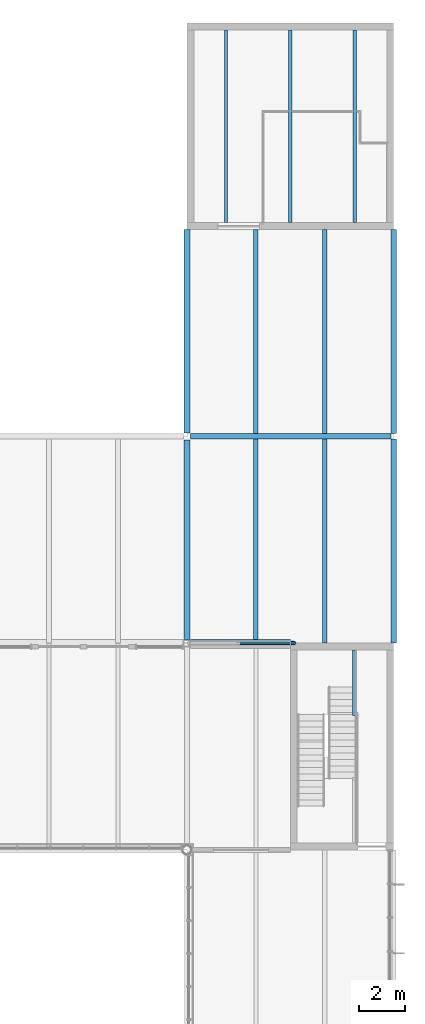
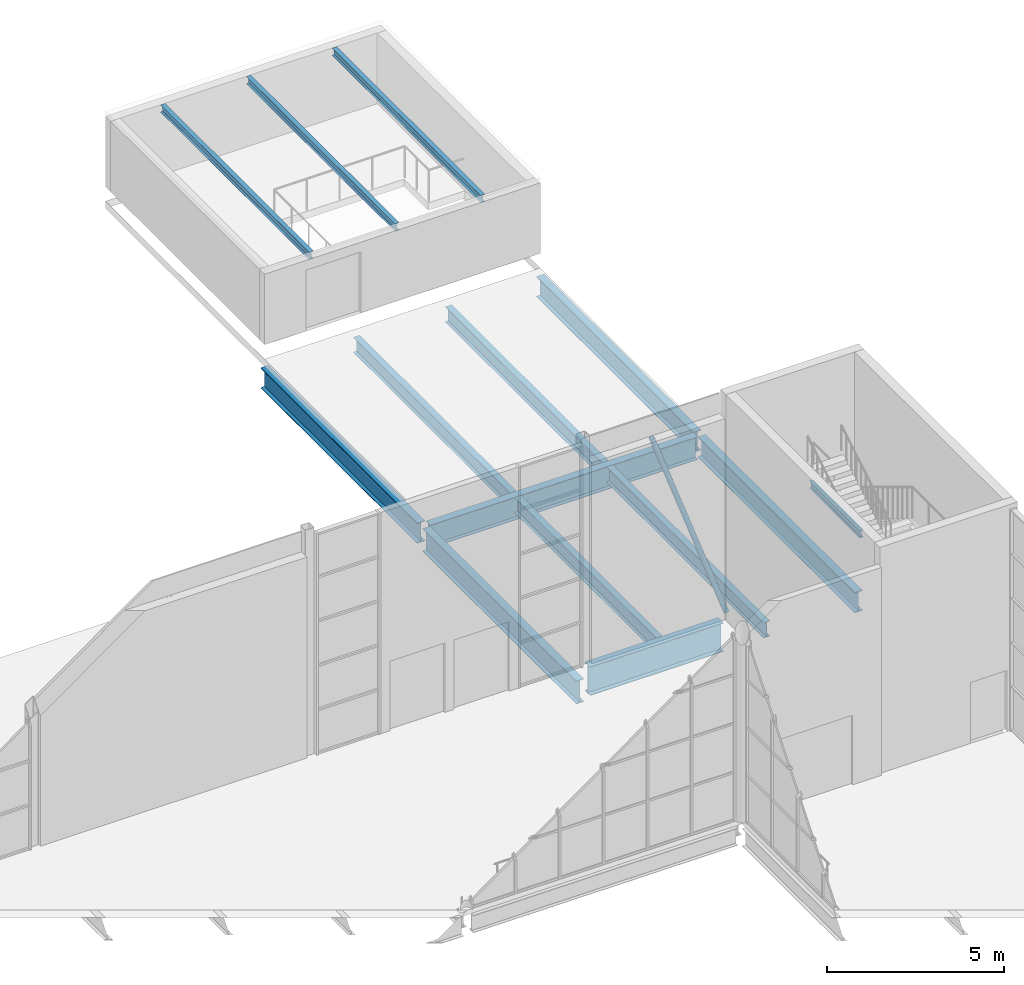
# One storey, part 63 of 90: 14 beams, 1 member.
"""IFC4 building model written with IfcOpenShell, lengths in metres."""

from ifc_helpers import new_model, si_unit, direction, frame, origin, origin_2d, place, context, subcontext, project, spatial, hollow_circle, i_section, extrude, material, material_profile, profile_set, type_object, element, save


model = new_model("IFC4")

# Units and contexts
model_context = context("Model", 3, precision=1e-05, world=origin(), true_north=direction((0.0, 1.0)))
body_context = subcontext(model_context, "Body", "Model", "MODEL_VIEW")
ifc_project = project(units=[si_unit("LENGTHUNIT", "METRE"), si_unit("AREAUNIT", "SQUARE_METRE"), si_unit("VOLUMEUNIT", "CUBIC_METRE"), si_unit("PLANEANGLEUNIT", "RADIAN"), si_unit("MASSUNIT", "GRAM", prefix="KILO")], contexts=[model_context])

# Site, building, storey
site_placement = place(None, origin())
site = spatial("IfcSite", under=ifc_project, at=site_placement, CompositionType="ELEMENT")
building_placement = place(site_placement, origin())
building = spatial("IfcBuilding", under=site, at=building_placement, Name="Halyard Row Museum", CompositionType="ELEMENT")
storey_placement = place(building_placement, frame((0.0, 0.0, 13.39990234375)))
storey = spatial("IfcBuildingStorey", under=building, at=storey_placement, Name="L03", CompositionType="ELEMENT", Elevation=13.39990234375)

# Member
ifc_material_1 = material(Name="Steel Grade C350L0", Category="steel")
ifc_material_profile_1 = material_profile(ifc_material_1, hollow_circle(Radius=0.084228515625, WallThickness=0.007080078125, at=origin_2d()), Name="168.3x7.1CHS")
ifc_profile_set_1 = profile_set([ifc_material_profile_1], Name="Steel Grade C350L0")
member_type = type_object("IfcMemberType", Name="Brace 168.3x7.1CHS", PredefinedType="BRACE", material=ifc_profile_set_1)
member_placement = place(storey_placement, frame((103.669921875, 36.0, 0.084228515625), z_axis=(-0.334057380259, 0.0, 0.942552739477), x_axis=(0.0, -1.0, 0.0)))
element("IfcMember", 1, at=member_placement, inside=storey, type_object=member_type, Name="Brace L03 Y36 99-103.5 B", PredefinedType="BRACE", context=body_context, shape_type="SweptSolid", body=[
    extrude(hollow_circle(Radius=0.084228515625, WallThickness=0.007080078125, at=origin_2d()), origin(), (0.0, 0.0, 1.0), 7.244140625),
])

# Beams
ifc_material_2 = material(Name="Steel Grade 300", Category="steel")
ifc_material_profile_2 = material_profile(ifc_material_2, i_section(OverallWidth=0.25, OverallDepth=0.699951171875, WebThickness=0.010009765625, FlangeThickness=0.02001953125, at=origin_2d()), Name="700WB130")
ifc_profile_set_2 = profile_set([ifc_material_profile_2], Name="Steel Grade 300")
beam_type_1 = type_object("IfcBeamType", Name="Edge beam 700WB130 (lowered 585)", PredefinedType="BEAM", material=ifc_profile_set_2)
beam_1_placement = place(storey_placement, frame((99.0, 45.14990234375, -1.099853515625), z_axis=(0.0, 1.0, 0.0), x_axis=(-1.0, 0.0, 0.0)))
element("IfcBeam", 2, at=beam_1_placement, inside=storey, type_object=beam_type_1, Name="Beam L03-070", PredefinedType="BEAM", context=body_context, shape_type="SweptSolid", body=[
    extrude(i_section(OverallWidth=0.25, OverallDepth=0.699951171875, WebThickness=0.010009765625, FlangeThickness=0.02001953125, at=origin_2d()), origin(), (0.0, 0.0, 1.0), 8.85009765625),
])
for number, where, z_axis, x_axis, name in (
    (3, (108.0, 36.0, -1.099853515625), (0.0, 1.0, 0.0), (-1.0, 0.0, 0.0), "Beam L03-073"),
    (4, (108.0, 45.125, -1.099853515625), (0.0, 1.0, 0.0), (-1.0, 0.0, 0.0), "Beam L03-074"),
):
    element("IfcBeam", number, at=place(storey_placement, frame(where, z_axis=z_axis, x_axis=x_axis)), inside=storey, type_object=beam_type_1, Name=name, PredefinedType="BEAM", context=body_context, shape_type="SweptSolid", body=[
        extrude(i_section(OverallWidth=0.25, OverallDepth=0.699951171875, WebThickness=0.010009765625, FlangeThickness=0.02001953125, at=origin_2d()), origin(), (0.0, 0.0, 1.0), 8.875),
    ])
ifc_material_3 = material(Name="Steel Grade 300", Category="steel")
ifc_material_profile_3 = material_profile(ifc_material_3, i_section(OverallWidth=0.25, OverallDepth=0.7919921875, WebThickness=0.010009765625, FlangeThickness=0.01611328125, at=origin_2d()), Name="800WB122")
ifc_profile_set_3 = profile_set([ifc_material_profile_3], Name="Steel Grade 300")
beam_type_2 = type_object("IfcBeamType", Name="Girder beam 800WB122 (lowered 585)", PredefinedType="BEAM", material=ifc_profile_set_3)
beam_2_placement = place(storey_placement, frame((99.14990234375, 45.0, -1.14599609375), z_axis=(1.0, 0.0, 0.0), x_axis=(0.0, 1.0, 0.0)))
element("IfcBeam", 5, at=beam_2_placement, inside=storey, type_object=beam_type_2, Name="Beam L03-041", PredefinedType="BEAM", context=body_context, shape_type="SweptSolid", body=[
    extrude(i_section(OverallWidth=0.25, OverallDepth=0.7919921875, WebThickness=0.010009765625, FlangeThickness=0.01611328125, at=origin_2d()), origin(), (0.0, 0.0, 1.0), 8.72509765625),
])
beam_3_placement = place(storey_placement, frame((99.0, 36.160400390625, -1.14599609375), z_axis=(0.0, 1.0, 0.0), x_axis=(-1.0, 0.0, 0.0)))
element("IfcBeam", 6, at=beam_3_placement, inside=storey, type_object=beam_type_2, Name="Beam L03-069", PredefinedType="BEAM", context=body_context, shape_type="SweptSolid", body=[
    extrude(i_section(OverallWidth=0.25, OverallDepth=0.7919921875, WebThickness=0.010009765625, FlangeThickness=0.01611328125, at=origin_2d()), origin(), (0.0, 0.0, 1.0), 8.689697265625),
])
ifc_material_4 = material(Name="Steel Grade 300", Category="steel")
ifc_material_profile_4 = material_profile(ifc_material_4, i_section(OverallWidth=0.14599609375, OverallDepth=0.251708984375, WebThickness=0.006103515625, FlangeThickness=0.008544921875, FilletRadius=0.0087890625, at=origin_2d()), Name="250UB31.4")
ifc_profile_set_4 = profile_set([ifc_material_profile_4], Name="Steel Grade 300")
beam_type_3 = type_object("IfcBeamType", Name="Head-house roof beam 250UB31.4", PredefinedType="BEAM", material=ifc_profile_set_4)
for number, where, z_axis, x_axis, name in (
    (7, (100.699951171875, 54.300048828125, 2.309326171875), (0.0, 1.0, 0.0), (-1.0, 0.0, 0.0), "Head-house roof beam K5B 1"),
    (8, (103.5, 54.300048828125, 2.309326171875), (0.0, 1.0, 0.0), (-1.0, 0.0, 0.0), "Head-house roof beam K5B 2"),
    (9, (106.300048828125, 54.300048828125, 2.309326171875), (0.0, 1.0, 0.0), (-1.0, 0.0, 0.0), "Head-house roof beam K5B 3"),
):
    element("IfcBeam", number, at=place(storey_placement, frame(where, z_axis=z_axis, x_axis=x_axis)), inside=storey, type_object=beam_type_3, Name=name, PredefinedType="BEAM", context=body_context, shape_type="SweptSolid", body=[
        extrude(i_section(OverallWidth=0.14599609375, OverallDepth=0.251708984375, WebThickness=0.006103515625, FlangeThickness=0.008544921875, FilletRadius=0.0087890625, at=origin_2d()), origin(), (0.0, 0.0, 1.0), 8.39990234375),
    ])
ifc_material_5 = material(Name="Steel Grade 300", Category="steel")
ifc_material_profile_5 = material_profile(ifc_material_5, i_section(OverallWidth=0.1240234375, OverallDepth=0.248046875, WebThickness=0.0048828125, FlangeThickness=0.008056640625, FilletRadius=0.011962890625, at=origin_2d()), Name="250UB25.7")
ifc_profile_set_5 = profile_set([ifc_material_profile_5], Name="Steel Grade 300")
beam_type_4 = type_object("IfcBeamType", Name="Landing trimmer 250UB25.7", PredefinedType="BEAM", material=ifc_profile_set_5)
beam_4_placement = place(storey_placement, frame((106.278076171875, 35.702880859375, 3.74560546875), z_axis=(0.0, -1.0, 0.0), x_axis=(1.0, 0.0, 0.0)))
element("IfcBeam", 10, at=beam_4_placement, inside=storey, type_object=beam_type_4, Name="Landing ledger K2C L03 2", PredefinedType="BEAM", context=body_context, shape_type="SweptSolid", body=[
    extrude(i_section(OverallWidth=0.1240234375, OverallDepth=0.248046875, WebThickness=0.0048828125, FlangeThickness=0.008056640625, FilletRadius=0.011962890625, at=origin_2d()), origin(), (0.0, 0.0, 1.0), 2.852783203125),
])
ifc_material_6 = material(Name="Steel Grade 300", Category="steel")
ifc_material_profile_6 = material_profile(ifc_material_6, i_section(OverallWidth=0.208984375, OverallDepth=0.5283203125, WebThickness=0.009521484375, FlangeThickness=0.01318359375, FilletRadius=0.013916015625, at=origin_2d()), Name="530UB82.0")
ifc_profile_set_6 = profile_set([ifc_material_profile_6], Name="Steel Grade 300")
beam_type_5 = type_object("IfcBeamType", Name="Secondary beam 530UB82.0 (lowered 585)", PredefinedType="BEAM", material=ifc_profile_set_6)
beam_5_placement = place(storey_placement, frame((105.0, 36.0, -1.013916015625), z_axis=(0.0, 1.0, 0.0), x_axis=(-1.0, 0.0, 0.0)))
element("IfcBeam", 11, at=beam_5_placement, inside=storey, type_object=beam_type_5, Name="Beam L03-116", PredefinedType="BEAM", context=body_context, shape_type="SweptSolid", body=[
    extrude(i_section(OverallWidth=0.208984375, OverallDepth=0.5283203125, WebThickness=0.009521484375, FlangeThickness=0.01318359375, FilletRadius=0.013916015625, at=origin_2d()), origin(), (0.0, 0.0, 1.0), 8.875),
])
beam_6_placement = place(storey_placement, frame((102.0, 36.008056640625, -1.013916015625), z_axis=(0.0, 1.0, 0.0), x_axis=(-1.0, 0.0, 0.0)))
element("IfcBeam", 12, at=beam_6_placement, inside=storey, type_object=beam_type_5, Name="Beam L03-122", PredefinedType="BEAM", context=body_context, shape_type="SweptSolid", body=[
    extrude(i_section(OverallWidth=0.208984375, OverallDepth=0.5283203125, WebThickness=0.009521484375, FlangeThickness=0.01318359375, FilletRadius=0.013916015625, at=origin_2d()), origin(), (0.0, 0.0, 1.0), 8.866943359375),
])
for number, where, z_axis, x_axis, name in (
    (13, (102.0, 45.125, -1.013916015625), (0.0, 1.0, 0.0), (-1.0, 0.0, 0.0), "Beam L03-133"),
    (14, (105.0, 45.125, -1.013916015625), (0.0, 1.0, 0.0), (-1.0, 0.0, 0.0), "Beam L03-134"),
):
    element("IfcBeam", number, at=place(storey_placement, frame(where, z_axis=z_axis, x_axis=x_axis)), inside=storey, type_object=beam_type_5, Name=name, PredefinedType="BEAM", context=body_context, shape_type="SweptSolid", body=[
        extrude(i_section(OverallWidth=0.208984375, OverallDepth=0.5283203125, WebThickness=0.009521484375, FlangeThickness=0.01318359375, FilletRadius=0.013916015625, at=origin_2d()), origin(), (0.0, 0.0, 1.0), 8.875),
    ])
ifc_material_7 = material(Name="Steel Grade 300", Category="steel")
ifc_material_profile_7 = material_profile(ifc_material_7, i_section(OverallWidth=0.300048828125, OverallDepth=1.0, WebThickness=0.01611328125, FlangeThickness=0.02001953125, at=origin_2d()), Name="1000WB215")
ifc_profile_set_7 = profile_set([ifc_material_profile_7], Name="Steel Grade 300")
beam_type_6 = type_object("IfcBeamType", Name="Stepped beam 1000WB215", PredefinedType="BEAM", material=ifc_profile_set_7)
beam_7_placement = place(storey_placement, frame((99.154541015625, 36.0, -0.664794921875), z_axis=(1.0, 0.0, 0.0), x_axis=(0.0, 1.0, 0.0)))
element("IfcBeam", 15, at=beam_7_placement, inside=storey, type_object=beam_type_6, Name="Beam L03-035", PredefinedType="BEAM", context=body_context, shape_type="SweptSolid", body=[
    extrude(i_section(OverallWidth=0.300048828125, OverallDepth=1.0, WebThickness=0.01611328125, FlangeThickness=0.02001953125, at=origin_2d()), origin(), (0.0, 0.0, 1.0), 4.345458984375),
])

save(model, "model.ifc")
